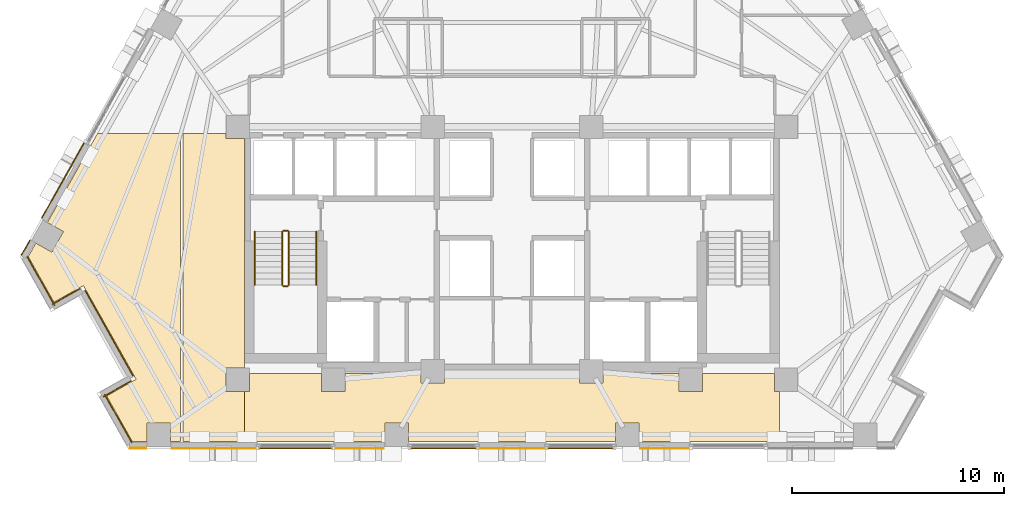
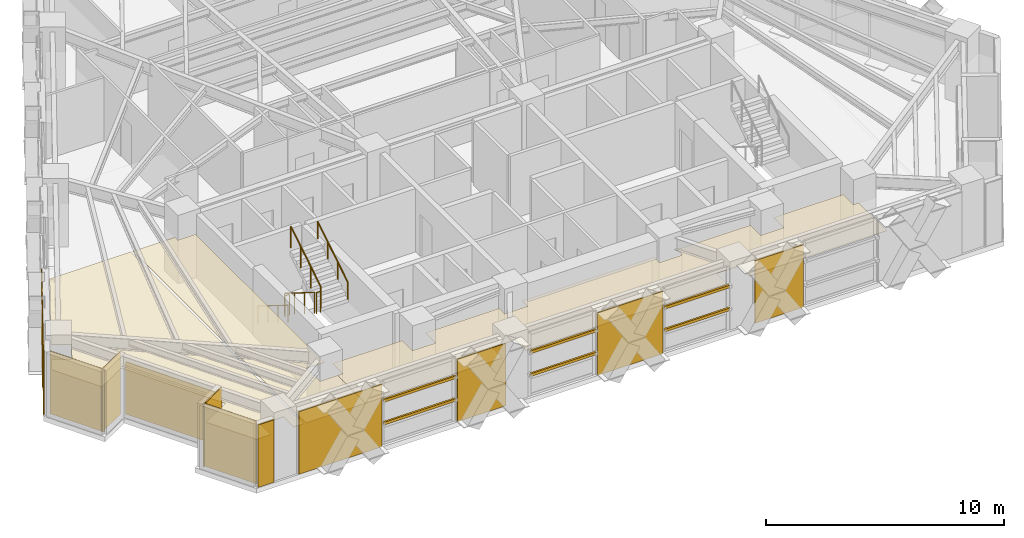
# One storey, part 11 of 14: 15 coverings, 6 railings, 6 shading devices.
"""IFC4 building model written with IfcOpenShell, lengths in metres."""

from ifc_helpers import new_model, si_unit, direction, frame, origin, origin_2d, place, context, subcontext, project, spatial, polyline, rectangle, circle, outline, extrude, material, layer, layer_set, material_profile, profile_set, type_object, element, save


model = new_model("IFC4")

# Units and contexts
model_context = context("Model", 3, precision=1e-05, world=origin(), true_north=direction((0.0, 1.0)))
body_context = subcontext(model_context, "Body", "Model", "MODEL_VIEW")
ifc_project = project(units=[si_unit("LENGTHUNIT", "METRE"), si_unit("AREAUNIT", "SQUARE_METRE"), si_unit("VOLUMEUNIT", "CUBIC_METRE"), si_unit("PLANEANGLEUNIT", "RADIAN"), si_unit("MASSUNIT", "GRAM", prefix="KILO")], contexts=[model_context])

# Site, building, storey
site_placement = place(None, origin())
site = spatial("IfcSite", under=ifc_project, at=site_placement, CompositionType="ELEMENT")
building_placement = place(site_placement, origin())
building = spatial("IfcBuilding", under=site, at=building_placement, Name="Quenlor Broadcast Tower", CompositionType="ELEMENT")
storey_placement = place(building_placement, frame((0.0, 0.0, 80.10009765625)))
storey = spatial("IfcBuildingStorey", under=building, at=storey_placement, Name="L21", CompositionType="ELEMENT", Elevation=80.10009765625)

# Coverings
ifc_material_1 = material(Name="Acoustic Mineral Fibre Board", Category="other")
ifc_layer_1 = layer(ifc_material_1, 0.02490234375)
ifc_layer_set_1 = layer_set([ifc_layer_1], Name="Acoustic Perforated Mineral Tile Ceiling 25")
covering_type_1 = type_object("IfcCoveringType", Name="Acoustic Perforated Mineral Tile Ceiling 25", PredefinedType="CEILING", material=ifc_layer_set_1)
covering_1_placement = place(storey_placement, frame((0.0, 0.0, 2.224853515625)))
element("IfcCovering", 1, at=covering_1_placement, inside=storey, type_object=covering_type_1, Name="L21 Acoustic Ceiling L21-40-3", PredefinedType="CEILING", context=body_context, shape_type="SweptSolid", body=[
    extrude(outline(polyline([(-22.85693359375, -10.927978515625), (-22.49853515625, -10.290771484375), (-21.741943359375, -10.71630859375), (-21.19482421875, -9.74365234375), (-21.951416015625, -9.318115234375), (-19.58984375, -5.1201171875), (-15.659912109375, -5.1201171875), (-15.659912109375, -19.659912109375), (-16.134521484375, -19.659912109375), (-16.134521484375, -18.7919921875), (-17.25048828125, -18.7919921875), (-17.25048828125, -19.659912109375), (-17.9453125, -19.659912109375), (-19.15380859375, -17.510986328125), (-17.759521484375, -16.7265625), (-20.25, -12.299072265625), (-21.64453125, -13.08349609375), (-22.85693359375, -10.927978515625)])), origin(), (0.0, 0.0, 1.0), 0.025146484375),
])
covering_2_placement = place(storey_placement, frame((0.0, 0.0, 2.224853515625)))
element("IfcCovering", 2, at=covering_2_placement, inside=storey, type_object=covering_type_1, Name="L21 Acoustic Ceiling L21-40-4", PredefinedType="CEILING", context=body_context, shape_type="SweptSolid", body=[
    extrude(outline(polyline([(-13.508056640625, -5.35791015625), (-12.64990234375, -5.35791015625), (-12.64990234375, -16.19189453125), (-13.508056640625, -16.19189453125), (-13.508056640625, -17.30810546875), (-12.64990234375, -17.30810546875), (-12.64990234375, -19.659912109375), (-15.5400390625, -19.659912109375), (-15.5400390625, -5.1201171875), (-13.508056640625, -5.1201171875), (-13.508056640625, -5.35791015625)])), origin(), (0.0, 0.0, 1.0), 0.025146484375),
])
covering_3_placement = place(storey_placement, frame((0.0, 0.0, 2.224853515625)))
element("IfcCovering", 3, at=covering_3_placement, inside=storey, type_object=covering_type_1, Name="L21 Acoustic Ceiling L21-40-7", PredefinedType="CEILING", context=body_context, shape_type="SweptSolid", body=[
    extrude(outline(polyline([(-12.39208984375, -17.30810546875), (-12.39208984375, -16.449951171875), (-9.008056640625, -16.449951171875), (-9.008056640625, -17.30810546875), (-7.89208984375, -17.30810546875), (-7.89208984375, -16.449951171875), (-4.30810546875, -16.449951171875), (-4.30810546875, -16.907958984375), (-3.19189453125, -16.907958984375), (-3.19189453125, -16.449951171875), (3.19189453125, -16.449951171875), (3.19189453125, -16.907958984375), (4.30810546875, -16.907958984375), (4.30810546875, -16.449951171875), (7.89208984375, -16.449951171875), (7.89208984375, -17.30810546875), (9.008056640625, -17.30810546875), (9.008056640625, -16.449951171875), (12.39208984375, -16.449951171875), (12.39208984375, -17.30810546875), (12.64990234375, -17.30810546875), (12.64990234375, -19.659912109375), (6.001220703125, -19.659912109375), (6.001220703125, -18.7919921875), (4.88525390625, -18.7919921875), (4.88525390625, -19.659912109375), (-4.88525390625, -19.659912109375), (-4.88525390625, -18.7919921875), (-6.001220703125, -18.7919921875), (-6.001220703125, -19.659912109375), (-12.64990234375, -19.659912109375), (-12.64990234375, -17.30810546875), (-12.39208984375, -17.30810546875)])), origin(), (0.0, 0.0, 1.0), 0.025146484375),
])

# Shading devices
ifc_material_2 = material(Name="Architectural Terracotta Ceramic", Category="masonry")
ifc_material_profile = material_profile(ifc_material_2, rectangle(XDim=0.090087890625, YDim=0.139892578125, at=origin_2d()))
ifc_profile_set = profile_set([ifc_material_profile], Name="Architectural Terracotta Ceramic BAG90x140")
shading_device_type = type_object("IfcShadingDeviceType", Name="Copper Terracotta Baguette Solar Screen 140", PredefinedType="USERDEFINED", material=ifc_profile_set)
for number, where, z_axis, x_axis, name in (
    (4, (-8.47119140625, -19.972900390625, 1.169921875), (-1.0, 0.0, 0.0), (0.0, -1.0, 0.0), "L21 Terracotta Baguette Screen 1"),
    (5, (-8.47119140625, -19.972900390625, 2.33984375), (-1.0, 0.0, 0.0), (0.0, -1.0, 0.0), "L21 Terracotta Baguette Screen 2"),
):
    element("IfcShadingDevice", number, at=place(storey_placement, frame(where, z_axis=z_axis, x_axis=x_axis)), inside=storey, type_object=shading_device_type, Name=name, ObjectType="BAGUETTE", PredefinedType="USERDEFINED", context=body_context, shape_type="SweptSolid", body=[
        extrude(rectangle(XDim=0.090087890625, YDim=0.139892578125, at=origin_2d()), origin(), (0.0, 0.0, 1.0), 3.510498046875),
    ])
for number, where, z_axis, x_axis, name in (
    (6, (4.835693359375, -19.972900390625, 1.169921875), (-1.0, 0.0, 0.0), (0.0, -1.0, 0.0), "L21 Terracotta Baguette Screen 1"),
    (7, (4.835693359375, -19.972900390625, 2.33984375), (-1.0, 0.0, 0.0), (0.0, -1.0, 0.0), "L21 Terracotta Baguette Screen 2"),
    (8, (-1.653564453125, -19.972900390625, 1.169921875), (-1.0, 0.0, 0.0), (0.0, -1.0, 0.0), "L21 Terracotta Baguette Screen 1"),
    (9, (-1.653564453125, -19.972900390625, 2.33984375), (-1.0, 0.0, 0.0), (0.0, -1.0, 0.0), "L21 Terracotta Baguette Screen 2"),
):
    element("IfcShadingDevice", number, at=place(storey_placement, frame(where, z_axis=z_axis, x_axis=x_axis)), inside=storey, type_object=shading_device_type, Name=name, ObjectType="BAGUETTE", PredefinedType="USERDEFINED", context=body_context, shape_type="SweptSolid", body=[
        extrude(rectangle(XDim=0.090087890625, YDim=0.139892578125, at=origin_2d()), origin(), (0.0, 0.0, 1.0), 3.18212890625),
    ])

# Coverings
ifc_material_3 = material(Name="Architectural Terracotta Ceramic", Category="masonry")
ifc_layer_2 = layer(ifc_material_3, 0.044921875)
ifc_layer_set_2 = layer_set([ifc_layer_2], Name="Fluted Terracotta Rainscreen Cladding Panel")
covering_type_2 = type_object("IfcCoveringType", Name="Fluted Terracotta Rainscreen Cladding Panel", PredefinedType="CLADDING", material=ifc_layer_set_2)
covering_4_placement = place(storey_placement, frame((0.0, 0.0, 0.02001953125)))
element("IfcCovering", 10, at=covering_4_placement, inside=storey, type_object=covering_type_2, Name="L21 Terracotta Rainscreen Cladding L21-SHD-SS1", PredefinedType="CLADDING", context=body_context, shape_type="SweptSolid", body=[
    extrude(outline(polyline([(-17.277587890625, -19.951904296875), (-18.053955078125, -19.951904296875), (-18.053955078125, -19.9970703125), (-17.277587890625, -19.9970703125), (-17.277587890625, -19.951904296875)])), origin(), (0.0, 0.0, 1.0), 3.2099609375),
])
covering_5_placement = place(storey_placement, frame((0.0, 0.0, 0.02001953125)))
element("IfcCovering", 11, at=covering_5_placement, inside=storey, type_object=covering_type_2, Name="L21 Terracotta Rainscreen Cladding L21-SA-SP2", PredefinedType="CLADDING", context=body_context, shape_type="SweptSolid", body=[
    extrude(outline(polyline([(8.403564453125, -19.971923828125), (6.048095703125, -19.971923828125), (6.048095703125, -20.01708984375), (8.403564453125, -20.01708984375), (8.403564453125, -19.971923828125)])), origin(), (0.0, 0.0, 1.0), 3.2099609375),
])
covering_6_placement = place(storey_placement, frame((0.0, 0.0, 0.02001953125)))
element("IfcCovering", 12, at=covering_6_placement, inside=storey, type_object=covering_type_2, Name="L21 Terracotta Rainscreen Cladding L21-SC-SP1", PredefinedType="CLADDING", context=body_context, shape_type="SweptSolid", body=[
    extrude(outline(polyline([(-6.048095703125, -19.971923828125), (-8.403564453125, -19.971923828125), (-8.403564453125, -20.01708984375), (-6.048095703125, -20.01708984375), (-6.048095703125, -19.971923828125)])), origin(), (0.0, 0.0, 1.0), 3.2099609375),
])
covering_7_placement = place(storey_placement, frame((0.0, 0.0, 0.02001953125)))
element("IfcCovering", 13, at=covering_7_placement, inside=storey, type_object=covering_type_2, Name="L21 Terracotta Rainscreen Cladding L21-SC-SP2", PredefinedType="CLADDING", context=body_context, shape_type="SweptSolid", body=[
    extrude(outline(polyline([(-12.04931640625, -19.971923828125), (-16.08740234375, -19.971923828125), (-16.08740234375, -20.01708984375), (-12.04931640625, -20.01708984375), (-12.04931640625, -19.971923828125)])), origin(), (0.0, 0.0, 1.0), 3.2099609375),
])
covering_8_placement = place(storey_placement, frame((0.0, 0.0, 0.02001953125)))
element("IfcCovering", 14, at=covering_8_placement, inside=storey, type_object=covering_type_2, Name="L21 Terracotta Rainscreen Cladding L21-S-SP1", PredefinedType="CLADDING", context=body_context, shape_type="SweptSolid", body=[
    extrude(outline(polyline([(1.5859375, -19.971923828125), (-1.5859375, -19.971923828125), (-1.5859375, -20.01708984375), (1.5859375, -20.01708984375), (1.5859375, -19.971923828125)])), origin(), (0.0, 0.0, 1.0), 3.2099609375),
])
covering_9_placement = place(storey_placement, frame((0.0, 0.0, 0.02001953125)))
element("IfcCovering", 15, at=covering_9_placement, inside=storey, type_object=covering_type_2, Name="L21 Terracotta Rainscreen Cladding L21-SHD-NWS0", PredefinedType="CLADDING", context=body_context, shape_type="SweptSolid", body=[
    extrude(outline(polyline([(-23.160888671875, -10.873046875), (-22.76611328125, -10.171142578125), (-22.805419921875, -10.149169921875), (-23.2001953125, -10.85107421875), (-23.160888671875, -10.873046875)])), origin(), (0.0, 0.0, 1.0), 3.2099609375),
])
covering_10_placement = place(storey_placement, frame((0.0, 0.0, 0.02001953125)))
element("IfcCovering", 16, at=covering_10_placement, inside=storey, type_object=covering_type_2, Name="L21 Terracotta Rainscreen Cladding L21-NWA-SP1", PredefinedType="CLADDING", context=body_context, shape_type="SweptSolid", body=[
    extrude(outline(polyline([(-22.2001953125, -9.1240234375), (-20.188232421875, -5.547119140625), (-20.227294921875, -5.525146484375), (-22.239501953125, -9.10205078125), (-22.2001953125, -9.1240234375)])), origin(), (0.0, 0.0, 1.0), 3.2099609375),
])
covering_11_placement = place(storey_placement, frame((0.0, 0.0, 0.02001953125)))
element("IfcCovering", 17, at=covering_11_placement, inside=storey, type_object=covering_type_2, Name="L21 Terracotta Rainscreen Cladding L21-CNR-12", PredefinedType="CLADDING", context=body_context, shape_type="SweptSolid", body=[
    extrude(outline(polyline([(-22.931396484375, -10.93408203125), (-21.630126953125, -13.24755859375), (-21.591064453125, -13.2255859375), (-22.892333984375, -10.912109375), (-22.931396484375, -10.93408203125)])), origin(), (0.0, 0.0, 1.0), 3.2099609375),
])
covering_12_placement = place(storey_placement, frame((0.0, 0.0, 0.02001953125)))
element("IfcCovering", 18, at=covering_12_placement, inside=storey, type_object=covering_type_2, Name="L21 Terracotta Rainscreen Cladding L21-CNR-13", PredefinedType="CLADDING", context=body_context, shape_type="SweptSolid", body=[
    extrude(outline(polyline([(-21.70703125, -13.19677734375), (-20.399658203125, -12.461181640625), (-20.421630859375, -12.422119140625), (-21.72900390625, -13.157470703125), (-21.70703125, -13.19677734375)])), origin(), (0.0, 0.0, 1.0), 3.2099609375),
])
covering_13_placement = place(storey_placement, frame((0.0, 0.0, 0.02001953125)))
element("IfcCovering", 19, at=covering_13_placement, inside=storey, type_object=covering_type_2, Name="L21 Terracotta Rainscreen Cladding L21-CNR-14", PredefinedType="CLADDING", context=body_context, shape_type="SweptSolid", body=[
    extrude(outline(polyline([(-20.186767578125, -12.55029296875), (-17.921630859375, -16.576904296875), (-17.88232421875, -16.554931640625), (-20.1474609375, -12.5283203125), (-20.186767578125, -12.55029296875)])), origin(), (0.0, 0.0, 1.0), 2.681640625),
])
covering_14_placement = place(storey_placement, frame((0.0, 0.0, 0.02001953125)))
element("IfcCovering", 20, at=covering_14_placement, inside=storey, type_object=covering_type_2, Name="L21 Terracotta Rainscreen Cladding L21-CNR-15", PredefinedType="CLADDING", context=body_context, shape_type="SweptSolid", body=[
    extrude(outline(polyline([(-18.010498046875, -16.789794921875), (-19.31787109375, -17.525390625), (-19.2958984375, -17.564697265625), (-17.988525390625, -16.8291015625), (-18.010498046875, -16.789794921875)])), origin(), (0.0, 0.0, 1.0), 3.2099609375),
])
covering_15_placement = place(storey_placement, frame((0.0, 0.0, 0.02001953125)))
element("IfcCovering", 21, at=covering_15_placement, inside=storey, type_object=covering_type_2, Name="L21 Terracotta Rainscreen Cladding L21-CNR-16", PredefinedType="CLADDING", context=body_context, shape_type="SweptSolid", body=[
    extrude(outline(polyline([(-19.26708984375, -17.448486328125), (-17.987060546875, -19.72412109375), (-17.947998046875, -19.7021484375), (-19.227783203125, -17.426513671875), (-19.26708984375, -17.448486328125)])), origin(), (0.0, 0.0, 1.0), 3.2099609375),
])

# Railings
ifc_material_4 = material(Name="Anodised Aluminium", Category="aluminium")
railing_type_1 = type_object("IfcRailingType", Name="Stainless Aluminium Wall Handrail 900", PredefinedType="HANDRAIL", material=ifc_material_4)
railing_1_placement = place(storey_placement, frame((-12.14990234375, -9.75, 0.1748046875)))
element("IfcRailing", 22, at=railing_1_placement, inside=storey, type_object=railing_type_1, Name="L21 ST-1 stair handrail 1", PredefinedType="HANDRAIL", context=body_context, shape_type="SweptSolid", body=[
    extrude(circle(Radius=0.02392578125, at=origin_2d()), frame((0.0, 0.0, 0.8759765625), z_axis=(0.0, -0.847970611238, 0.530043245855), x_axis=(1.0, 0.0, 0.0)), (0.0, 0.0, 1.0), 2.971923828125),
    extrude(circle(Radius=0.02099609375, at=origin_2d()), origin(), (0.0, 0.0, 1.0), 0.851806640625),
    extrude(circle(Radius=0.02099609375, at=origin_2d()), frame((0.0, -0.840087890625, 0.525146484375)), (0.0, 0.0, 1.0), 0.851806640625),
    extrude(circle(Radius=0.02099609375, at=origin_2d()), frame((0.0, -1.679931640625, 1.050048828125)), (0.0, 0.0, 1.0), 0.851806640625),
    extrude(circle(Radius=0.02099609375, at=origin_2d()), frame((0.0, -2.52001953125, 1.5751953125)), (0.0, 0.0, 1.0), 0.851806640625),
])
railing_2_placement = place(storey_placement, frame((-9.25, -12.27001953125, 1.9248046875)))
element("IfcRailing", 23, at=railing_2_placement, inside=storey, type_object=railing_type_1, Name="L21 ST-1 stair handrail 2", PredefinedType="HANDRAIL", context=body_context, shape_type="SweptSolid", body=[
    extrude(circle(Radius=0.02392578125, at=origin_2d()), frame((0.0, 0.0, 0.8759765625), z_axis=(0.0, 0.847970611238, 0.530043245855), x_axis=(-1.0, 0.0, 0.0)), (0.0, 0.0, 1.0), 2.971923828125),
    extrude(circle(Radius=0.02099609375, at=origin_2d()), origin(), (0.0, 0.0, 1.0), 0.851806640625),
    extrude(circle(Radius=0.02099609375, at=origin_2d()), frame((0.0, 0.840087890625, 0.525146484375)), (0.0, 0.0, 1.0), 0.851806640625),
    extrude(circle(Radius=0.02099609375, at=origin_2d()), frame((0.0, 1.679931640625, 1.050048828125)), (0.0, 0.0, 1.0), 0.851806640625),
    extrude(circle(Radius=0.02099609375, at=origin_2d()), frame((0.0, 2.52001953125, 1.5751953125)), (0.0, 0.0, 1.0), 0.851806640625),
])
ifc_material_5 = material(Name="Steel S355", Category="steel")
railing_type_2 = type_object("IfcRailingType", Name="Tubular Steel S355 Stair Guardrail 1100", PredefinedType="BALUSTRADE", material=ifc_material_5)
railing_3_placement = place(storey_placement, frame((-10.85009765625, -9.75, 0.1748046875)))
element("IfcRailing", 24, at=railing_3_placement, inside=storey, type_object=railing_type_2, Name="L21 ST-1 stair guard 1", PredefinedType="BALUSTRADE", context=body_context, shape_type="SweptSolid", body=[
    extrude(circle(Radius=0.02392578125, at=origin_2d()), frame((0.0, 0.0, 1.076171875), z_axis=(0.0, -0.847970611238, 0.530043245855), x_axis=(1.0, 0.0, 0.0)), (0.0, 0.0, 1.0), 2.971923828125),
    extrude(circle(Radius=0.02099609375, at=origin_2d()), origin(), (0.0, 0.0, 1.0), 1.052001953125),
    extrude(circle(Radius=0.02099609375, at=origin_2d()), frame((0.0, -0.840087890625, 0.525146484375)), (0.0, 0.0, 1.0), 1.052001953125),
    extrude(circle(Radius=0.02099609375, at=origin_2d()), frame((0.0, -1.679931640625, 1.050048828125)), (0.0, 0.0, 1.0), 1.052001953125),
    extrude(circle(Radius=0.02099609375, at=origin_2d()), frame((0.0, -2.52001953125, 1.5751953125)), (0.0, 0.0, 1.0), 1.052001953125),
])
railing_4_placement = place(storey_placement, frame((-10.800048828125, -12.320068359375, 1.75)))
element("IfcRailing", 25, at=railing_4_placement, inside=storey, type_object=railing_type_2, Name="L21 ST-1 stair guard 2", PredefinedType="BALUSTRADE", context=body_context, shape_type="SweptSolid", body=[
    extrude(circle(Radius=0.02392578125, at=origin_2d()), frame((0.0, 0.0, 1.076171875), z_axis=(1.0, 0.0, 0.0), x_axis=(0.0, 1.0, 0.0)), (0.0, 0.0, 1.0), 0.199951171875),
    extrude(circle(Radius=0.02099609375, at=origin_2d()), origin(), (0.0, 0.0, 1.0), 1.052001953125),
    extrude(circle(Radius=0.02099609375, at=origin_2d()), frame((0.199951171875, 0.0, 0.0)), (0.0, 0.0, 1.0), 1.052001953125),
])
railing_5_placement = place(storey_placement, frame((-10.550048828125, -12.27001953125, 1.9248046875)))
element("IfcRailing", 26, at=railing_5_placement, inside=storey, type_object=railing_type_2, Name="L21 ST-1 stair guard 3", PredefinedType="BALUSTRADE", context=body_context, shape_type="SweptSolid", body=[
    extrude(circle(Radius=0.02392578125, at=origin_2d()), frame((0.0, 0.0, 1.076171875), z_axis=(0.0, 0.847970611238, 0.530043245855), x_axis=(-1.0, 0.0, 0.0)), (0.0, 0.0, 1.0), 2.971923828125),
    extrude(circle(Radius=0.02099609375, at=origin_2d()), origin(), (0.0, 0.0, 1.0), 1.052001953125),
    extrude(circle(Radius=0.02099609375, at=origin_2d()), frame((0.0, 0.840087890625, 0.525146484375)), (0.0, 0.0, 1.0), 1.052001953125),
    extrude(circle(Radius=0.02099609375, at=origin_2d()), frame((0.0, 1.679931640625, 1.050048828125)), (0.0, 0.0, 1.0), 1.052001953125),
    extrude(circle(Radius=0.02099609375, at=origin_2d()), frame((0.0, 2.52001953125, 1.5751953125)), (0.0, 0.0, 1.0), 1.052001953125),
])
railing_6_placement = place(storey_placement, frame((-10.800048828125, -9.699951171875, 0.0)))
element("IfcRailing", 27, at=railing_6_placement, inside=storey, type_object=railing_type_2, Name="L21 ST-1 stair guard 4", PredefinedType="BALUSTRADE", context=body_context, shape_type="SweptSolid", body=[
    extrude(circle(Radius=0.02392578125, at=origin_2d()), frame((0.0, 0.0, 1.076171875), z_axis=(1.0, 0.0, 0.0), x_axis=(0.0, 1.0, 0.0)), (0.0, 0.0, 1.0), 0.199951171875),
    extrude(circle(Radius=0.02099609375, at=origin_2d()), origin(), (0.0, 0.0, 1.0), 1.052001953125),
    extrude(circle(Radius=0.02099609375, at=origin_2d()), frame((0.199951171875, 0.0, 0.0)), (0.0, 0.0, 1.0), 1.052001953125),
])

save(model, "model.ifc")
